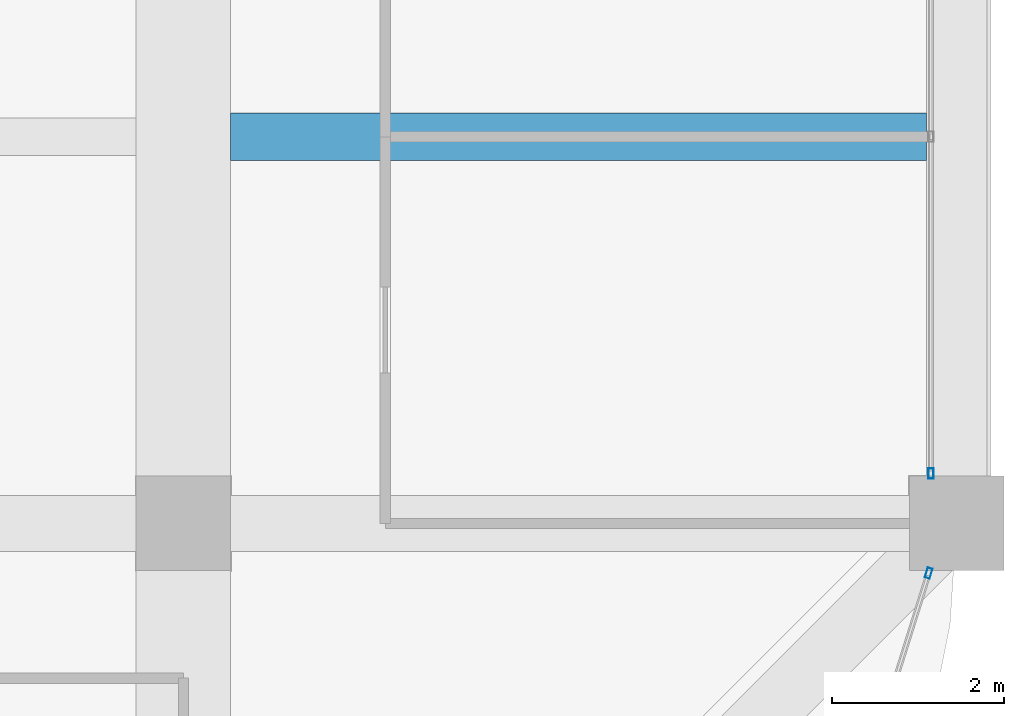
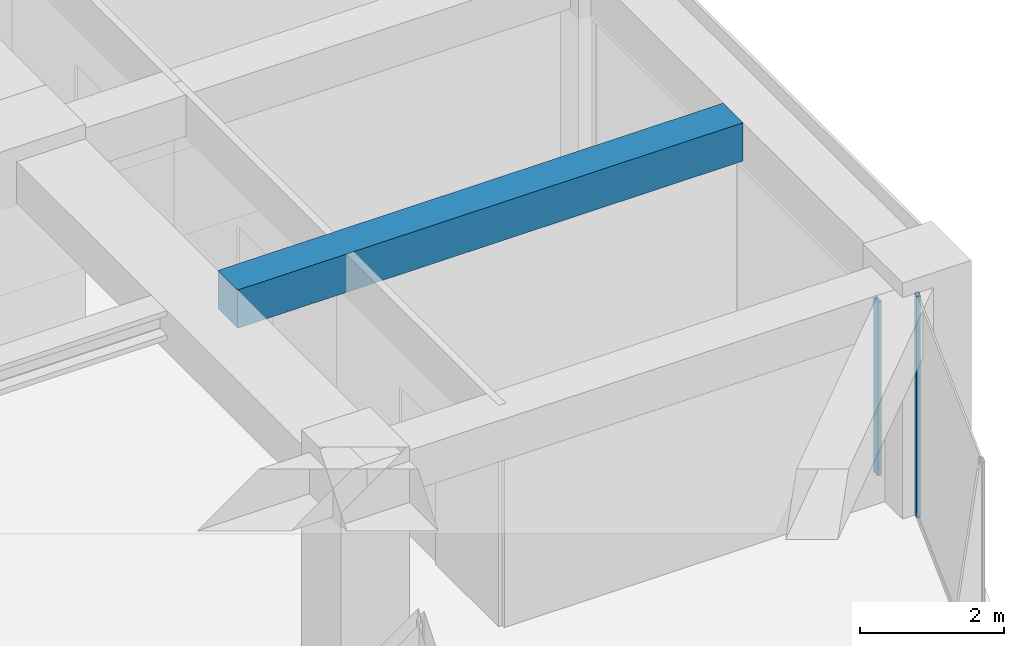
# One storey, part 22 of 44: 2 members, 1 beam, 2 elements without a shape of their own.
"""IFC4 building model written with IfcOpenShell, lengths in metres."""

from ifc_helpers import new_model, si_unit, direction, frame, origin, origin_2d, place, context, subcontext, project, spatial, rectangle, hollow_rectangle, extrude, material, material_profile, profile_set, type_object, element, aggregate, save


model = new_model("IFC4")

# Units and contexts
model_context = context("Model", 3, precision=1e-05, world=origin(), true_north=direction((0.0, 1.0)))
body_context = subcontext(model_context, "Body", "Model", "MODEL_VIEW")
ifc_project = project(units=[si_unit("LENGTHUNIT", "METRE"), si_unit("AREAUNIT", "SQUARE_METRE"), si_unit("VOLUMEUNIT", "CUBIC_METRE"), si_unit("PLANEANGLEUNIT", "RADIAN"), si_unit("MASSUNIT", "GRAM", prefix="KILO")], contexts=[model_context])

# Site, building, storey
site_placement = place(None, origin())
site = spatial("IfcSite", under=ifc_project, at=site_placement, CompositionType="ELEMENT")
building_placement = place(site_placement, origin())
building = spatial("IfcBuilding", under=site, at=building_placement, Name="Zorevar Civic Tower", CompositionType="ELEMENT")
storey_placement = place(building_placement, frame((0.0, 0.0, 271.39990234375)))
storey = spatial("IfcBuildingStorey", under=building, at=storey_placement, Name="L66", CompositionType="ELEMENT", Elevation=271.39990234375)

# Beam
ifc_material_1 = material(Name="Concrete C50/60", Category="concrete")
ifc_material_profile_1 = material_profile(ifc_material_1, rectangle(XDim=0.550048828125, YDim=0.64990234375, at=origin_2d()), Name="RC 550x650")
ifc_profile_set_1 = profile_set([ifc_material_profile_1], Name="Concrete C50/60")
beam_type = type_object("IfcBeamType", Name="Beam RC 550x650", PredefinedType="BEAM", material=ifc_profile_set_1)
beam_placement = place(storey_placement, frame((45.550048828125, 13.5, 3.425048828125), z_axis=(1.0, 0.0, 0.0), x_axis=(0.0, 1.0, 0.0)))
element("IfcBeam", 1, at=beam_placement, inside=storey, type_object=beam_type, Name="Secondary beam L67", PredefinedType="BEAM", context=body_context, shape_type="SweptSolid", body=[
    extrude(rectangle(XDim=0.550048828125, YDim=0.64990234375, at=origin_2d()), origin(), (0.0, 0.0, 1.0), 8.099853515625),
])

# Curtain wall, member
ifc_material_2 = material(Name="Dark grey solar-control glass in black aluminium frame", Category="aluminium")
curtain_wall_type = type_object("IfcCurtainWallType", Name="Curtain wall CW5 top zone", PredefinedType="NOTDEFINED", material=ifc_material_2)
curtain_wall_1_placement = place(storey_placement, origin())
curtain_wall_1 = element("IfcCurtainWall", 2, at=curtain_wall_1_placement, inside=storey, type_object=curtain_wall_type, Name="CW5 L66", PredefinedType="NOTDEFINED")
ifc_material_3 = material(Name="Aluminium, black anodised", Category="aluminium")
ifc_material_profile_2 = material_profile(ifc_material_3, hollow_rectangle(XDim=0.06005859375, YDim=0.1201171875, WallThickness=0.0029296875, at=origin_2d()), Name="AL 120x60x3")
ifc_profile_set_2 = profile_set([ifc_material_profile_2], Name="Aluminium, black anodised")
member_type = type_object("IfcMemberType", Name="CW5 mullion AL 120x60x3", PredefinedType="MULLION", material=ifc_profile_set_2)
member_1_placement = place(storey_placement, frame((53.699951171875, 9.580078125, 0.0), z_axis=(0.0, 0.0, 1.0), x_axis=(-1.0, 0.0, 0.0)))
member_1 = element("IfcMember", 3, at=member_1_placement, type_object=member_type, Name="CW5 mullion 1", PredefinedType="MULLION", context=body_context, shape_type="SweptSolid", body=[
    extrude(hollow_rectangle(XDim=0.06005859375, YDim=0.1201171875, WallThickness=0.0029296875, at=origin_2d()), origin(), (0.0, 0.0, 1.0), 2.9501953125),
])
aggregate(curtain_wall_1, [member_1])

curtain_wall_2_placement = place(storey_placement, origin())
curtain_wall_2 = element("IfcCurtainWall", 4, at=curtain_wall_2_placement, inside=storey, type_object=curtain_wall_type, Name="CW5 L66", PredefinedType="NOTDEFINED")
member_2_placement = place(storey_placement, frame((53.673583984375, 8.42138671875, 0.0), z_axis=(0.0, 0.0, 1.0), x_axis=(-0.954153437674, 0.299317920238, 0.0)))
member_2 = element("IfcMember", 5, at=member_2_placement, type_object=member_type, Name="CW5 mullion 2", PredefinedType="MULLION", context=body_context, shape_type="SweptSolid", body=[
    extrude(hollow_rectangle(XDim=0.06005859375, YDim=0.1201171875, WallThickness=0.0029296875, at=origin_2d()), origin(), (0.0, 0.0, 1.0), 3.75),
])
aggregate(curtain_wall_2, [member_2])

save(model, "model.ifc")
